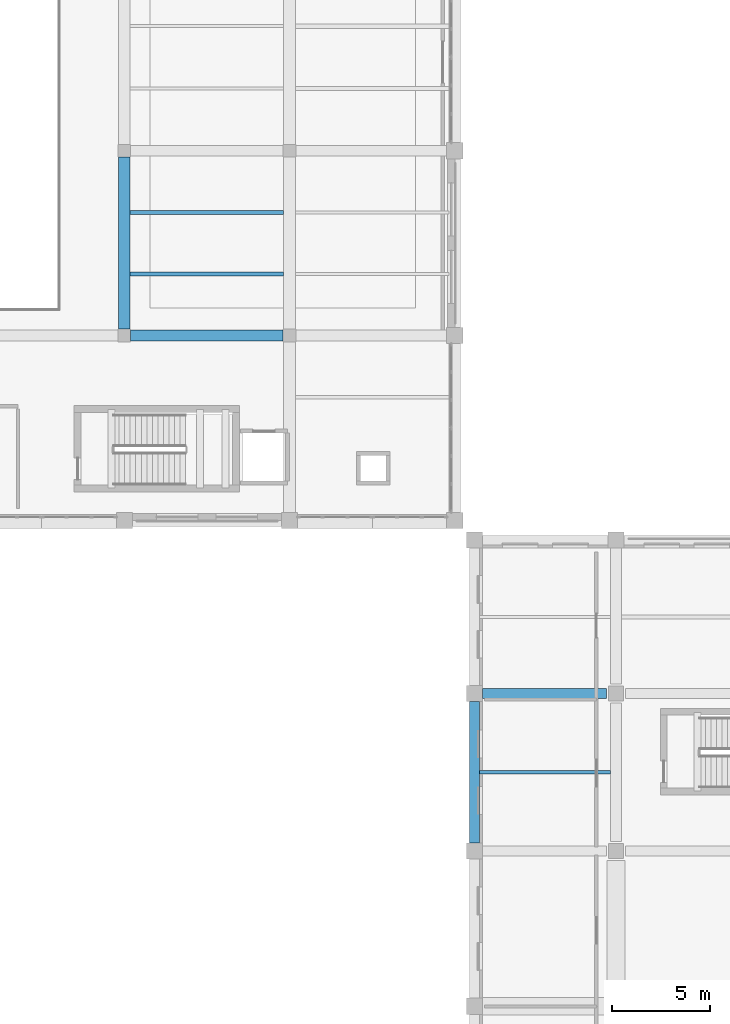
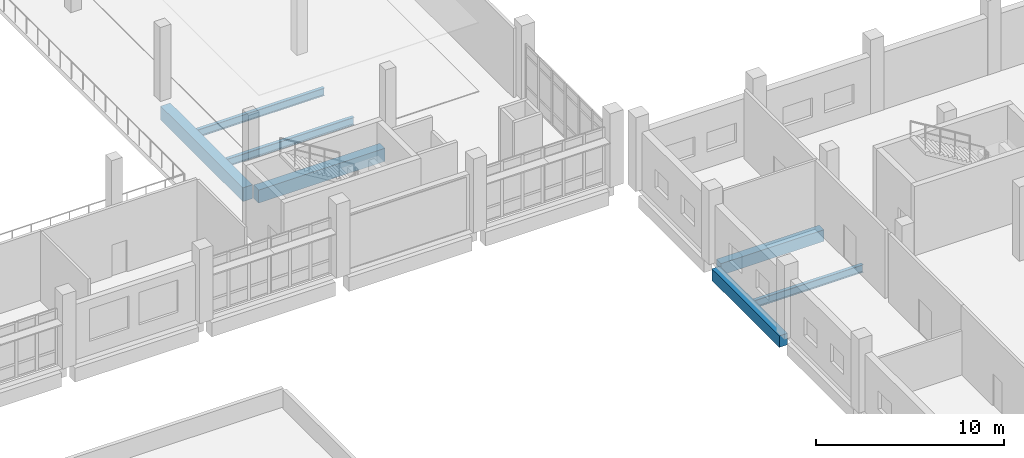
# One storey, part 17 of 73: 7 beams.
"""IFC4 building model written with IfcOpenShell, lengths in metres."""

import ifcopenshell
import ifcopenshell.guid

model = None  # the IFC model being written
_history = None  # IfcOwnerHistory: only IFC2X3 demands one
_inside = {}  # id of a spatial element -> (the spatial element, [elements in it])
_under = {}  # id of a project, library or spatial element -> (it, [spatial elements below it])
_declared = {}  # id of a project -> (the project, [libraries it declares])
_typed = {}  # id of a type object -> (the type object, [elements of that type])
_made_of = {}  # id of a material, layer set ... -> (it, [elements and type objects made of it])


def new_model(schema):
    """Start an empty IFC model of exactly this schema.

    Asked for "IFC4X3", IfcOpenShell would pick the latest addendum, in which some entities
    have other attributes; the version numbers below select the first issue.
    IFC2X3 requires an IfcOwnerHistory on every rooted entity: one is made here for all.
    """
    global model, _history
    if schema == "IFC4X3":
        model = ifcopenshell.file(schema_version=(4, 3, 0, 0))
    else:
        model = ifcopenshell.file(schema=schema)
    _inside.clear()
    _under.clear()
    _declared.clear()
    _typed.clear()
    _made_of.clear()
    _history = None
    if model.schema == "IFC2X3":
        org = make("IfcOrganization", Name="unknown")
        user = make(
            "IfcPersonAndOrganization",
            ThePerson=make("IfcPerson", FamilyName="unknown"),
            TheOrganization=org,
        )
        app = make(
            "IfcApplication",
            ApplicationDeveloper=org,
            Version="unknown",
            ApplicationFullName="unknown",
            ApplicationIdentifier="unknown",
        )
        _history = make(
            "IfcOwnerHistory",
            OwningUser=user,
            OwningApplication=app,
            ChangeAction="ADDED",
            CreationDate=0,
        )
    return model


def make(cls, **values):
    """One entity of the class cls with the attributes given. An attribute that is None is left unset."""
    return model.create_entity(
        cls, **{name: value for name, value in values.items() if value is not None}
    )


def rooted(cls, **values):
    """An entity with a GlobalId (a new one), such as an element, a storey or a relation."""
    return make(cls, GlobalId=ifcopenshell.guid.new(), OwnerHistory=_history, **values)


def si_unit(unit_type, name, prefix=None):
    """IfcSIUnit, for example si_unit("LENGTHUNIT", "METRE", prefix="MILLI")."""
    return make("IfcSIUnit", UnitType=unit_type, Prefix=prefix, Name=name)


def assignment(units):
    """IfcUnitAssignment: the units of a project."""
    return None if units is None else make("IfcUnitAssignment", Units=units)


def point(xyz):
    """IfcCartesianPoint."""
    return None if xyz is None else make("IfcCartesianPoint", Coordinates=xyz)


def direction(xyz):
    """IfcDirection."""
    return None if xyz is None else make("IfcDirection", DirectionRatios=xyz)


def frame(location, z_axis=None, x_axis=None):
    """IfcAxis2Placement3D, a coordinate frame: its origin and axes. An axis left out is left unset."""
    return make(
        "IfcAxis2Placement3D",
        Location=point(location),
        Axis=direction(z_axis),
        RefDirection=direction(x_axis),
    )


def frame_2d(location, x_axis=None):
    """IfcAxis2Placement2D, a coordinate frame in the plane: its origin and x axis."""
    return make(
        "IfcAxis2Placement2D", Location=point(location), RefDirection=direction(x_axis)
    )


def origin():
    """The frame at (0, 0, 0) with its axes left unset."""
    return frame((0.0, 0.0, 0.0))


def origin_2d():
    """The frame at (0, 0) in the plane with its x axis left unset."""
    return frame_2d((0.0, 0.0))


def place(relative_to, where):
    """IfcLocalPlacement: puts the frame where relative to a parent placement (None: the world)."""
    return make(
        "IfcLocalPlacement", PlacementRelTo=relative_to, RelativePlacement=where
    )


def context(
    kind, dimensions, precision=None, world=None, true_north=None, identifier=None
):
    """IfcGeometricRepresentationContext, for example the 3D "Model" context."""
    return make(
        "IfcGeometricRepresentationContext",
        ContextIdentifier=identifier,
        ContextType=kind,
        CoordinateSpaceDimension=dimensions,
        Precision=precision,
        WorldCoordinateSystem=world,
        TrueNorth=true_north,
    )


def subcontext(parent, identifier, kind, view, scale=None):
    """IfcGeometricRepresentationSubContext, for example "Body" below "Model"."""
    return make(
        "IfcGeometricRepresentationSubContext",
        ContextIdentifier=identifier,
        ContextType=kind,
        ParentContext=parent,
        TargetScale=scale,
        TargetView=view,
    )


def project(units=None, contexts=None):
    """IfcProject with its units and contexts."""
    return rooted(
        "IfcProject",
        Name="project",
        RepresentationContexts=contexts,
        UnitsInContext=assignment(units),
    )


def spatial(cls, under=None, at=None, **own):
    """A site, building, storey or space (cls), placed at a placement, below another one or the project."""
    s = rooted(cls, ObjectPlacement=at, **own)
    if under is not None:
        _under.setdefault(under.id(), (under, []))[1].append(s)
    return s


def profile(cls, at=None, kind="AREA", **sizes):
    """A parametric profile (cls). Its sizes go by their IFC names, for example OverallWidth=200.0."""
    return make(cls, ProfileType=kind, Position=at, **sizes)


def rectangle(**sizes):
    """IfcRectangleProfileDef."""
    return profile("IfcRectangleProfileDef", **sizes)


def i_section(**sizes):
    """IfcIShapeProfileDef."""
    return profile("IfcIShapeProfileDef", **sizes)


def extrude(swept, where, along, depth):
    """IfcExtrudedAreaSolid: the profile swept, set in the frame where, extruded along a direction by depth."""
    return make(
        "IfcExtrudedAreaSolid",
        SweptArea=swept,
        Position=where,
        ExtrudedDirection=direction(along),
        Depth=depth,
    )


def shape(context_of_items, identifier, shape_type, items):
    """IfcShapeRepresentation: the items that make up one representation, for example the "Body"."""
    return make(
        "IfcShapeRepresentation",
        ContextOfItems=context_of_items,
        RepresentationIdentifier=identifier,
        RepresentationType=shape_type,
        Items=items,
    )


def material(Name=None, Category=None):
    """IfcMaterial."""
    return make("IfcMaterial", Name=Name, Category=Category)


def material_profile(
    of_material, cross_section, Name=None, Category=None, Priority=None
):
    """IfcMaterialProfile: a cross section and its material."""
    return make(
        "IfcMaterialProfile",
        Name=Name,
        Material=of_material,
        Profile=cross_section,
        Priority=Priority,
        Category=Category,
    )


def profile_set(profiles, Name=None, composite=None):
    """IfcMaterialProfileSet."""
    return make(
        "IfcMaterialProfileSet",
        Name=Name,
        MaterialProfiles=profiles,
        CompositeProfile=composite,
    )


def made_of(thing, what):
    """Note that an element or type object is made of a material, layer set ...; save() writes the relation."""
    if what is not None:
        _made_of.setdefault(what.id(), (what, []))[1].append(thing)
    return thing


def type_object(cls, material=None, **own):
    """A type object (cls), such as IfcWallType, which elements share."""
    return made_of(rooted(cls, **own), material)


def element(
    cls,
    number,
    at=None,
    inside=None,
    cuts=None,
    type_object=None,
    material=None,
    context=None,
    identifier="Body",
    shape_type=None,
    held_by="IfcProductDefinitionShape",
    body=None,
    shapes=None,
    **own,
):
    """One element of the class cls, such as IfcWall. Its Tag is "e" and its number.

    at: its placement. inside: the storey or other place that contains it. cuts: it is an
    opening in that element (IfcRelVoidsElement). A single representation is given by context,
    identifier, shape_type and body (its items); several are given by shapes. held_by: the class
    of the entity that holds the representations. save() writes the other relations.
    """
    e = rooted(cls, Tag="e%d" % number, ObjectPlacement=at, **own)
    if body is not None:
        shapes = [shape(context, identifier, shape_type, body)]
    if shapes is not None:
        e.Representation = make(held_by, Representations=shapes)
    if inside is not None:
        _inside.setdefault(inside.id(), (inside, []))[1].append(e)
    if cuts is not None:
        rooted(
            "IfcRelVoidsElement", RelatingBuildingElement=cuts, RelatedOpeningElement=e
        )
    if type_object is not None:
        _typed.setdefault(type_object.id(), (type_object, []))[1].append(e)
    return made_of(e, material)


def aggregate(whole, parts):
    """IfcRelAggregates: a whole, such as a stair, and the parts it consists of."""
    return rooted("IfcRelAggregates", RelatingObject=whole, RelatedObjects=parts)


def save(model, path):
    """Write the relations noted so far, then the file.

    IfcRelAggregates (storeys below a building ...), IfcRelContainedInSpatialStructure (elements
    in a storey), IfcRelDefinesByType, IfcRelAssociatesMaterial and IfcRelDeclares: one each for
    every whole, place, type object, material and project.
    """
    for whole, parts in _under.values():
        aggregate(whole, parts)
    for where, things in _inside.values():
        rooted(
            "IfcRelContainedInSpatialStructure",
            RelatedElements=things,
            RelatingStructure=where,
        )
    for kind, things in _typed.values():
        rooted("IfcRelDefinesByType", RelatedObjects=things, RelatingType=kind)
    for what, things in _made_of.values():
        rooted("IfcRelAssociatesMaterial", RelatedObjects=things, RelatingMaterial=what)
    for by, libraries in _declared.values():
        rooted("IfcRelDeclares", RelatingContext=by, RelatedDefinitions=libraries)
    model.write(path)


model = new_model("IFC4")

# Units and contexts
model_context = context("Model", 3, precision=1e-05, world=origin(), true_north=direction((0.0, 1.0)))
body_context = subcontext(model_context, "Body", "Model", "MODEL_VIEW")
ifc_project = project(units=[si_unit("LENGTHUNIT", "METRE"), si_unit("AREAUNIT", "SQUARE_METRE"), si_unit("VOLUMEUNIT", "CUBIC_METRE"), si_unit("PLANEANGLEUNIT", "RADIAN"), si_unit("MASSUNIT", "GRAM", prefix="KILO")], contexts=[model_context])

# Site, building, storey
site_placement = place(None, origin())
site = spatial("IfcSite", under=ifc_project, at=site_placement, CompositionType="ELEMENT")
building_placement = place(site_placement, origin())
building = spatial("IfcBuilding", under=site, at=building_placement, Name="Kelarvand Opera House", CompositionType="ELEMENT")
storey_placement = place(building_placement, frame((0.0, 0.0, 10.199951171875)))
storey = spatial("IfcBuildingStorey", under=building, at=storey_placement, Name="L02", CompositionType="ELEMENT", Elevation=10.199951171875)

# Beams
ifc_material_1 = material(Name="Concrete C40/50", Category="concrete")
ifc_material_profile_1 = material_profile(ifc_material_1, rectangle(XDim=0.5, YDim=0.75, at=origin_2d()), Name="RC 500x750", Category="concrete")
ifc_profile_set_1 = profile_set([ifc_material_profile_1], Name="Concrete C40/50")
beam_type_1 = type_object("IfcBeamType", Name="Structural Beam RC 500x750 BM-RC500x750", PredefinedType="BEAM", material=ifc_profile_set_1)
beam_1_placement = place(storey_placement, frame((52.409912109375, 78.39990234375, -0.695068359375), z_axis=(1.0, 0.0, 0.0), x_axis=(0.0, 1.0, 0.0)))
element("IfcBeam", 1, at=beam_1_placement, inside=storey, type_object=beam_type_1, Name="V2 L02 Beam BM-RC500x750", PredefinedType="BEAM", context=body_context, shape_type="SweptSolid", body=[
    extrude(rectangle(XDim=0.5, YDim=0.75, at=origin_2d()), origin(), (0.0, 0.0, 1.0), 6.315185546875),
])
ifc_material_profile_2 = material_profile(ifc_material_1, rectangle(XDim=0.550048828125, YDim=0.85009765625, at=origin_2d()), Name="RC 550x850", Category="concrete")
ifc_profile_set_2 = profile_set([ifc_material_profile_2], Name="Concrete C40/50")
beam_type_2 = type_object("IfcBeamType", Name="Structural Beam RC 550x850 BM-RC550x850", PredefinedType="BEAM", material=ifc_profile_set_2)
beam_2_placement = place(storey_placement, frame((34.52490234375, 96.60009765625, -0.724853515625), z_axis=(1.0, 0.0, 0.0), x_axis=(0.0, 1.0, 0.0)))
element("IfcBeam", 2, at=beam_2_placement, inside=storey, type_object=beam_type_2, Name="V3 L02 Beam BM-RC550x850", PredefinedType="BEAM", context=body_context, shape_type="SweptSolid", body=[
    extrude(rectangle(XDim=0.550048828125, YDim=0.85009765625, at=origin_2d()), origin(), (0.0, 0.0, 1.0), 7.75),
])
ifc_material_profile_3 = material_profile(ifc_material_1, rectangle(XDim=0.60009765625, YDim=0.89990234375, at=origin_2d()), Name="RC 600x900", Category="concrete")
ifc_profile_set_3 = profile_set([ifc_material_profile_3], Name="Concrete C40/50")
beam_type_3 = type_object("IfcBeamType", Name="Structural Beam RC 600x900 BM-RC600x900", PredefinedType="BEAM", material=ifc_profile_set_3)
beam_3_placement = place(storey_placement, frame((34.199951171875, 96.925048828125, -0.75), z_axis=(0.0, 1.0, 0.0), x_axis=(-1.0, 0.0, 0.0)))
element("IfcBeam", 3, at=beam_3_placement, inside=storey, type_object=beam_type_3, Name="V3 L02 Beam BM-RC600x900", PredefinedType="BEAM", context=body_context, shape_type="SweptSolid", body=[
    extrude(rectangle(XDim=0.60009765625, YDim=0.89990234375, at=origin_2d()), origin(), (0.0, 0.0, 1.0), 8.75),
])
ifc_material_2 = material(Name="Steel S355", Category="steel")
ifc_material_profile_4 = material_profile(ifc_material_2, i_section(OverallWidth=0.199951171875, OverallDepth=0.5, WebThickness=0.01025390625, FlangeThickness=0.01611328125, at=origin_2d()), Name="IPE 500", Category="steel")
ifc_profile_set_4 = profile_set([ifc_material_profile_4], Name="Steel S355")
beam_type_4 = type_object("IfcBeamType", Name="Structural Joist IPE 500 JS-IPE500", PredefinedType="JOIST", material=ifc_profile_set_4)
beam_4_placement = place(storey_placement, frame((52.25, 74.39990234375, -0.570068359375), z_axis=(1.0, 0.0, 0.0), x_axis=(0.0, 1.0, 0.0)))
element("IfcBeam", 4, at=beam_4_placement, inside=storey, type_object=beam_type_4, Name="V2 L02 Beam JS-IPE500", PredefinedType="JOIST", context=body_context, shape_type="SweptSolid", body=[
    extrude(i_section(OverallWidth=0.199951171875, OverallDepth=0.5, WebThickness=0.01025390625, FlangeThickness=0.01611328125, at=origin_2d()), origin(), (0.0, 0.0, 1.0), 6.675048828125),
])
for number, where, z_axis, x_axis, name in (
    (5, (34.5, 99.7333984375, -0.550048828125), (1.0, 0.0, 0.0), (0.0, 1.0, 0.0), "V3 L02 Beam JS-IPE500"),
    (6, (34.5, 102.86669921875, -0.550048828125), (1.0, 0.0, 0.0), (0.0, 1.0, 0.0), "V3 L02 Beam JS-IPE500"),
):
    element("IfcBeam", number, at=place(storey_placement, frame(where, z_axis=z_axis, x_axis=x_axis)), inside=storey, type_object=beam_type_4, Name=name, PredefinedType="JOIST", context=body_context, shape_type="SweptSolid", body=[
        extrude(i_section(OverallWidth=0.199951171875, OverallDepth=0.5, WebThickness=0.01025390625, FlangeThickness=0.01611328125, at=origin_2d()), origin(), (0.0, 0.0, 1.0), 7.800048828125),
    ])
ifc_material_profile_5 = material_profile(ifc_material_1, rectangle(XDim=0.5, YDim=0.75, at=origin_2d()), Name="RC 500x750", Category="concrete")
ifc_profile_set_5 = profile_set([ifc_material_profile_5], Name="Concrete C40/50")
beam_type_5 = type_object("IfcBeamType", Name="Structural Spandrel RC 500x750 SP-RC500x750E", PredefinedType="SPANDREL", material=ifc_profile_set_5)
beam_5_placement = place(storey_placement, frame((52.0, 70.81005859375, -0.695068359375), z_axis=(0.0, 1.0, 0.0), x_axis=(-1.0, 0.0, 0.0)))
element("IfcBeam", 7, at=beam_5_placement, inside=storey, type_object=beam_type_5, Name="V2 L02 Beam SP-RC500x750E", PredefinedType="SPANDREL", context=body_context, shape_type="SweptSolid", body=[
    extrude(rectangle(XDim=0.5, YDim=0.75, at=origin_2d()), origin(), (0.0, 0.0, 1.0), 7.179931640625),
])

save(model, "model.ifc")
